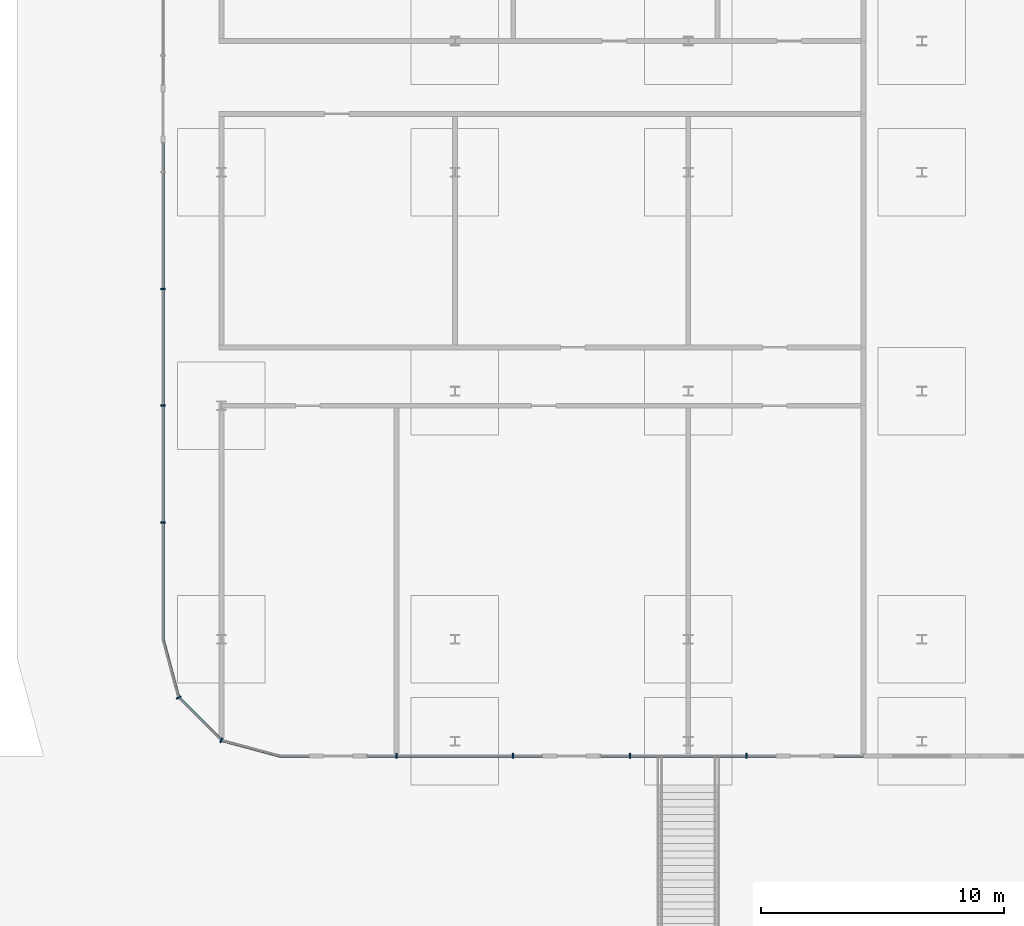
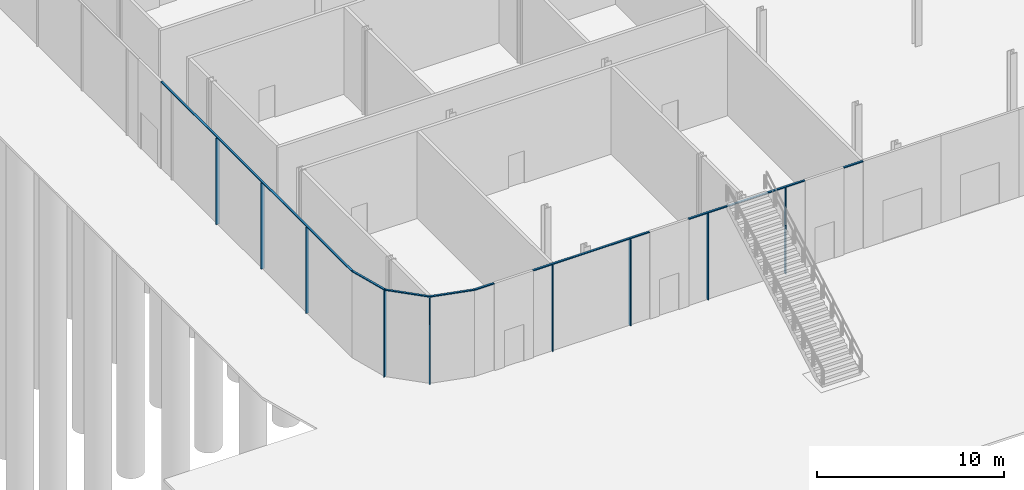
# One storey, part 8 of 44: 17 members, 3 elements without a shape of their own.
"""IFC4 building model written with IfcOpenShell, lengths in metres."""

from ifc_helpers import new_model, si_unit, direction, frame, origin, origin_2d, place, context, subcontext, project, spatial, rectangle, extrude, material, layer, layer_set, material_profile, profile_set, type_object, element, aggregate, save


model = new_model("IFC4")

# Units and contexts
model_context = context("Model", 3, precision=1e-05, world=origin(), true_north=direction((0.0, 1.0)))
body_context = subcontext(model_context, "Body", "Model", "MODEL_VIEW")
ifc_project = project(units=[si_unit("LENGTHUNIT", "METRE"), si_unit("AREAUNIT", "SQUARE_METRE"), si_unit("VOLUMEUNIT", "CUBIC_METRE"), si_unit("PLANEANGLEUNIT", "RADIAN"), si_unit("MASSUNIT", "GRAM", prefix="KILO")], contexts=[model_context])

# Site, building, storey
site_placement = place(None, origin())
site = spatial("IfcSite", under=ifc_project, at=site_placement, CompositionType="ELEMENT")
building_placement = place(site_placement, origin())
building = spatial("IfcBuilding", under=site, at=building_placement, Name="Madar Terraces", CompositionType="ELEMENT")
storey_placement = place(building_placement, origin())
storey = spatial("IfcBuildingStorey", under=building, at=storey_placement, Name="L00", CompositionType="ELEMENT", Elevation=0.0)

# Curtain wall, members
ifc_material_1 = material(Name="Glass, clear low-iron, with black aluminium frame", Category="aluminium")
ifc_layer = layer(ifc_material_1, 0.199951171875)
ifc_layer_set = layer_set([ifc_layer], Name="Facade curtain wall, shopfront glazing")
curtain_wall_type = type_object("IfcCurtainWallType", Name="Facade curtain wall, shopfront glazing", PredefinedType="NOTDEFINED", material=ifc_layer_set)
curtain_wall_1_placement = place(storey_placement, origin())
curtain_wall_1 = element("IfcCurtainWall", 1, at=curtain_wall_1_placement, inside=storey, type_object=curtain_wall_type, Name="Outer skin curtain wall south bay 1", PredefinedType="NOTDEFINED")
ifc_material_2 = material(Name="Aluminium, black anodised", Category="aluminium")
ifc_material_profile_1 = material_profile(ifc_material_2, rectangle(XDim=0.199951171875, YDim=0.06005859375, at=origin_2d()), Name="Facade mullion 60x200")
ifc_profile_set_1 = profile_set([ifc_material_profile_1], Name="Aluminium, black anodised")
member_type_1 = type_object("IfcMemberType", Name="Facade mullion 60x200", PredefinedType="MULLION", material=ifc_profile_set_1)
member_1_placement = place(storey_placement, frame((2.39990234375, -52.800048828125, 0.0), z_axis=(0.0, 0.0, 1.0), x_axis=(0.0, 1.0, 0.0)))
member_1 = element("IfcMember", 2, at=member_1_placement, type_object=member_type_1, Name="Mullion 1", PredefinedType="MULLION", context=body_context, shape_type="SweptSolid", body=[
    extrude(rectangle(XDim=0.199951171875, YDim=0.06005859375, at=origin_2d()), origin(), (0.0, 0.0, 1.0), 5.639892578125),
])
member_2_placement = place(storey_placement, frame((7.199951171875, -52.800048828125, 0.0), z_axis=(0.0, 0.0, 1.0), x_axis=(0.0, 1.0, 0.0)))
member_2 = element("IfcMember", 3, at=member_2_placement, type_object=member_type_1, Name="Mullion 2", PredefinedType="MULLION", context=body_context, shape_type="SweptSolid", body=[
    extrude(rectangle(XDim=0.199951171875, YDim=0.06005859375, at=origin_2d()), origin(), (0.0, 0.0, 1.0), 5.639892578125),
])
member_3_placement = place(storey_placement, frame((12.0, -52.800048828125, 0.0), z_axis=(0.0, 0.0, 1.0), x_axis=(0.0, 1.0, 0.0)))
member_3 = element("IfcMember", 4, at=member_3_placement, type_object=member_type_1, Name="Mullion 3", PredefinedType="MULLION", context=body_context, shape_type="SweptSolid", body=[
    extrude(rectangle(XDim=0.199951171875, YDim=0.06005859375, at=origin_2d()), origin(), (0.0, 0.0, 1.0), 5.639892578125),
])
member_4_placement = place(storey_placement, frame((16.800048828125, -52.800048828125, 0.0), z_axis=(0.0, 0.0, 1.0), x_axis=(0.0, 1.0, 0.0)))
member_4 = element("IfcMember", 5, at=member_4_placement, type_object=member_type_1, Name="Mullion 4", PredefinedType="MULLION", context=body_context, shape_type="SweptSolid", body=[
    extrude(rectangle(XDim=0.199951171875, YDim=0.06005859375, at=origin_2d()), origin(), (0.0, 0.0, 1.0), 5.639892578125),
])

curtain_wall_2_placement = place(storey_placement, origin())
curtain_wall_2 = element("IfcCurtainWall", 6, at=curtain_wall_2_placement, inside=storey, type_object=curtain_wall_type, Name="Outer skin curtain wall west bay 1", PredefinedType="NOTDEFINED")
member_5_placement = place(storey_placement, frame((-7.199951171875, -33.60009765625, 0.0), z_axis=(0.0, 0.0, 1.0), x_axis=(1.0, 0.0, 0.0)))
member_5 = element("IfcMember", 7, at=member_5_placement, type_object=member_type_1, Name="Mullion 17", PredefinedType="MULLION", context=body_context, shape_type="SweptSolid", body=[
    extrude(rectangle(XDim=0.199951171875, YDim=0.06005859375, at=origin_2d()), origin(), (0.0, 0.0, 1.0), 5.639892578125),
])
member_6_placement = place(storey_placement, frame((-7.199951171875, -38.39990234375, 0.0), z_axis=(0.0, 0.0, 1.0), x_axis=(1.0, 0.0, 0.0)))
member_6 = element("IfcMember", 8, at=member_6_placement, type_object=member_type_1, Name="Mullion 18", PredefinedType="MULLION", context=body_context, shape_type="SweptSolid", body=[
    extrude(rectangle(XDim=0.199951171875, YDim=0.06005859375, at=origin_2d()), origin(), (0.0, 0.0, 1.0), 5.639892578125),
])
member_7_placement = place(storey_placement, frame((-7.199951171875, -43.199951171875, 0.0), z_axis=(0.0, 0.0, 1.0), x_axis=(1.0, 0.0, 0.0)))
member_7 = element("IfcMember", 9, at=member_7_placement, type_object=member_type_1, Name="Mullion 19", PredefinedType="MULLION", context=body_context, shape_type="SweptSolid", body=[
    extrude(rectangle(XDim=0.199951171875, YDim=0.06005859375, at=origin_2d()), origin(), (0.0, 0.0, 1.0), 5.639892578125),
])

curtain_wall_3_placement = place(storey_placement, origin())
curtain_wall_3 = element("IfcCurtainWall", 10, at=curtain_wall_3_placement, inside=storey, type_object=curtain_wall_type, Name="Outer skin curtain wall south-west corner", PredefinedType="NOTDEFINED")
member_8_placement = place(storey_placement, frame((-6.556884765625, -50.39990234375, 0.0), z_axis=(0.0, 0.0, 1.0), x_axis=(0.866025409797, 0.499999989586, 0.0)))
member_8 = element("IfcMember", 11, at=member_8_placement, type_object=member_type_1, Name="Mullion 1", PredefinedType="MULLION", context=body_context, shape_type="SweptSolid", body=[
    extrude(rectangle(XDim=0.199951171875, YDim=0.06005859375, at=origin_2d()), origin(), (0.0, 0.0, 1.0), 5.639892578125),
])
member_9_placement = place(storey_placement, frame((-4.800048828125, -52.156982421875, 0.0), z_axis=(0.0, 0.0, 1.0), x_axis=(0.499999989586, 0.866025409797, 0.0)))
member_9 = element("IfcMember", 12, at=member_9_placement, type_object=member_type_1, Name="Mullion 2", PredefinedType="MULLION", context=body_context, shape_type="SweptSolid", body=[
    extrude(rectangle(XDim=0.199951171875, YDim=0.06005859375, at=origin_2d()), origin(), (0.0, 0.0, 1.0), 5.639892578125),
])

# Member
ifc_material_3 = material(Name="Aluminium, black anodised", Category="aluminium")
ifc_material_profile_2 = material_profile(ifc_material_3, rectangle(XDim=0.1201171875, YDim=0.06005859375, at=origin_2d()), Name="Facade transom 60x120")
ifc_profile_set_2 = profile_set([ifc_material_profile_2], Name="Aluminium, black anodised")
member_type_2 = type_object("IfcMemberType", Name="Facade transom 60x120", PredefinedType="USERDEFINED", material=ifc_profile_set_2)
member_10_placement = place(storey_placement, frame((-2.39990234375, -52.800048828125, 5.669921875), z_axis=(1.0, 0.0, 0.0), x_axis=(0.0, 1.0, 0.0)))
member_10 = element("IfcMember", 13, at=member_10_placement, type_object=member_type_2, Name="Transom 1", ObjectType="TRANSOM", PredefinedType="USERDEFINED", context=body_context, shape_type="SweptSolid", body=[
    extrude(rectangle(XDim=0.1201171875, YDim=0.06005859375, at=origin_2d()), origin(), (0.0, 0.0, 1.0), 1.199951171875),
])

member_11_placement = place(storey_placement, frame((1.199951171875, -52.800048828125, 5.669921875), z_axis=(1.0, 0.0, 0.0), x_axis=(0.0, 1.0, 0.0)))
member_11 = element("IfcMember", 14, at=member_11_placement, type_object=member_type_2, Name="Transom 2", ObjectType="TRANSOM", PredefinedType="USERDEFINED", context=body_context, shape_type="SweptSolid", body=[
    extrude(rectangle(XDim=0.1201171875, YDim=0.06005859375, at=origin_2d()), origin(), (0.0, 0.0, 1.0), 7.199951171875),
])

member_12_placement = place(storey_placement, frame((10.800048828125, -52.800048828125, 5.669921875), z_axis=(1.0, 0.0, 0.0), x_axis=(0.0, 1.0, 0.0)))
member_12 = element("IfcMember", 15, at=member_12_placement, type_object=member_type_2, Name="Transom 3", ObjectType="TRANSOM", PredefinedType="USERDEFINED", context=body_context, shape_type="SweptSolid", body=[
    extrude(rectangle(XDim=0.1201171875, YDim=0.06005859375, at=origin_2d()), origin(), (0.0, 0.0, 1.0), 7.199951171875),
])

member_13_placement = place(storey_placement, frame((20.39990234375, -52.800048828125, 5.669921875), z_axis=(1.0, 0.0, 0.0), x_axis=(0.0, 1.0, 0.0)))
member_13 = element("IfcMember", 16, at=member_13_placement, type_object=member_type_2, Name="Transom 4", ObjectType="TRANSOM", PredefinedType="USERDEFINED", context=body_context, shape_type="SweptSolid", body=[
    extrude(rectangle(XDim=0.1201171875, YDim=0.06005859375, at=origin_2d()), origin(), (0.0, 0.0, 1.0), 1.2001953125),
])

aggregate(curtain_wall_1, [member_10, member_1, member_2, member_11, member_3, member_4, member_12, member_13])

member_14_placement = place(storey_placement, frame((-7.199951171875, -27.60009765625, 5.669921875), z_axis=(0.0, -1.0, 0.0), x_axis=(1.0, 0.0, 0.0)))
member_14 = element("IfcMember", 17, at=member_14_placement, type_object=member_type_2, Name="Transom 5", ObjectType="TRANSOM", PredefinedType="USERDEFINED", context=body_context, shape_type="SweptSolid", body=[
    extrude(rectangle(XDim=0.1201171875, YDim=0.06005859375, at=origin_2d()), origin(), (0.0, 0.0, 1.0), 20.39990234375),
])

aggregate(curtain_wall_2, [member_5, member_6, member_7, member_14])

member_15_placement = place(storey_placement, frame((-7.199951171875, -48.0, 5.669921875), z_axis=(0.258789113195, -0.965933846022, 0.0), x_axis=(0.965933846022, 0.258789113195, 0.0)))
member_15 = element("IfcMember", 18, at=member_15_placement, type_object=member_type_2, Name="Transom 1", ObjectType="TRANSOM", PredefinedType="USERDEFINED", context=body_context, shape_type="SweptSolid", body=[
    extrude(rectangle(XDim=0.1201171875, YDim=0.06005859375, at=origin_2d()), origin(), (0.0, 0.0, 1.0), 2.454833984375),
])

member_16_placement = place(storey_placement, frame((-6.53564453125, -50.421142578125, 5.669921875), z_axis=(0.707056433593, -0.707157125196, 0.0), x_axis=(0.707157125196, 0.707056433593, 0.0)))
member_16 = element("IfcMember", 19, at=member_16_placement, type_object=member_type_2, Name="Transom 2", ObjectType="TRANSOM", PredefinedType="USERDEFINED", context=body_context, shape_type="SweptSolid", body=[
    extrude(rectangle(XDim=0.1201171875, YDim=0.06005859375, at=origin_2d()), origin(), (0.0, 0.0, 1.0), 2.424560546875),
])

member_17_placement = place(storey_placement, frame((-4.77099609375, -52.164794921875, 5.669921875), z_axis=(0.965933846022, -0.258789113195, 0.0), x_axis=(0.258789113195, 0.965933846022, 0.0)))
member_17 = element("IfcMember", 20, at=member_17_placement, type_object=member_type_2, Name="Transom 3", ObjectType="TRANSOM", PredefinedType="USERDEFINED", context=body_context, shape_type="SweptSolid", body=[
    extrude(rectangle(XDim=0.1201171875, YDim=0.06005859375, at=origin_2d()), origin(), (0.0, 0.0, 1.0), 2.454833984375),
])

aggregate(curtain_wall_3, [member_8, member_15, member_9, member_16, member_17])

save(model, "model.ifc")
